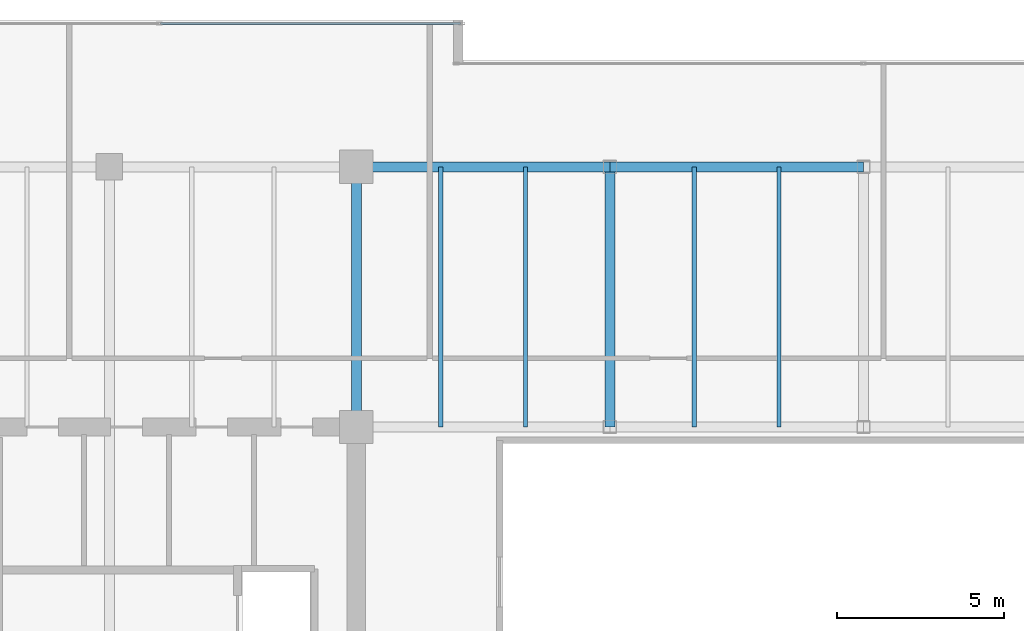
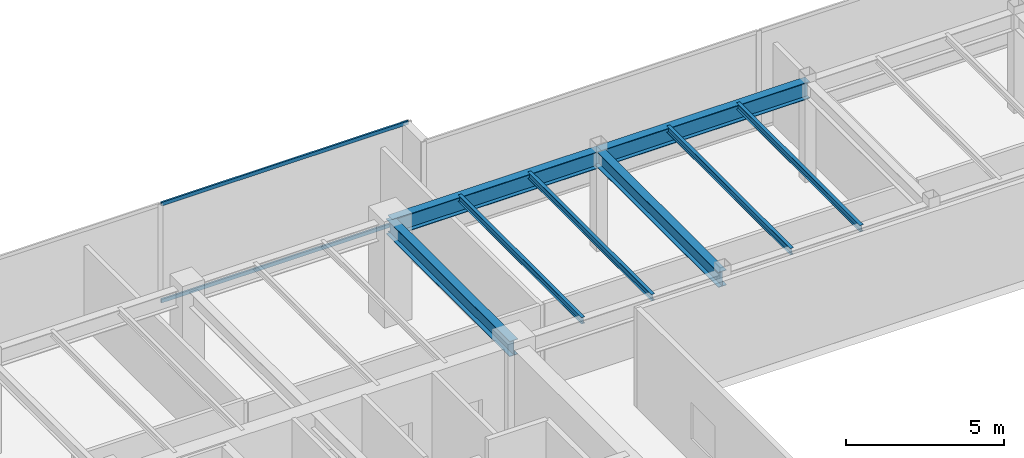
# One storey, part 16 of 33: 8 beams, 2 members, 1 element without a shape of its own.
"""IFC4 building model written with IfcOpenShell, lengths in metres."""

from ifc_helpers import new_model, si_unit, direction, frame, origin, origin_2d, place, context, subcontext, project, spatial, hollow_rectangle, i_section, extrude, source, transform, mapped, material, layer, layer_set, material_profile, profile_set, type_object, type_shapes, element, aggregate, save


model = new_model("IFC4")

# Units and contexts
model_context = context("Model", 3, precision=1e-05, world=origin(), true_north=direction((0.0, 1.0)))
body_context = subcontext(model_context, "Body", "Model", "MODEL_VIEW")
ifc_project = project(units=[si_unit("LENGTHUNIT", "METRE"), si_unit("AREAUNIT", "SQUARE_METRE"), si_unit("VOLUMEUNIT", "CUBIC_METRE"), si_unit("PLANEANGLEUNIT", "RADIAN"), si_unit("MASSUNIT", "GRAM", prefix="KILO")], contexts=[model_context])

# Site, building, storey
site_placement = place(None, origin())
site = spatial("IfcSite", under=ifc_project, at=site_placement, CompositionType="ELEMENT")
building_placement = place(site_placement, origin())
building = spatial("IfcBuilding", under=site, at=building_placement, Name="Haelvirn Gate Laboratories", CompositionType="ELEMENT")
storey_placement = place(building_placement, frame((0.0, 0.0, 275.199951171875)))
storey = spatial("IfcBuildingStorey", under=building, at=storey_placement, Name="L66", CompositionType="ELEMENT", Elevation=275.199951171875)

# Beams
ifc_material_1 = material(Name="Steel SM355", Category="steel")
ifc_material_profile_1 = material_profile(ifc_material_1, i_section(OverallWidth=0.300048828125, OverallDepth=0.587890625, WebThickness=0.011962890625, FlangeThickness=0.02001953125, at=origin_2d()), Name="H-588x300x12x20")
ifc_profile_set_1 = profile_set([ifc_material_profile_1], Name="Steel SM355")
beam_type_1 = type_object("IfcBeamType", Name="BM-G-588", PredefinedType="BEAM", material=ifc_profile_set_1)
shared_shape_1 = source(origin(), body_context, "Body", "SweptSolid", [
    extrude(i_section(OverallWidth=0.300048828125, OverallDepth=0.587890625, WebThickness=0.011962890625, FlangeThickness=0.02001953125, at=origin_2d()), origin(), (0.0, 0.0, 1.0), 7.800048828125),
])
type_shapes(beam_type_1, [shared_shape_1])
for number, where, z_axis, x_axis, name in (
    (1, (22.199951171875, 33.800048828125, 3.506103515625), (0.0, 1.0, 0.0), (-1.0, 0.0, 0.0), "L66 Frame Girder X22.2 (33.8-41.6)"),
    (2, (29.800048828125, 33.800048828125, 3.506103515625), (0.0, 1.0, 0.0), (-1.0, 0.0, 0.0), "L66 Frame Girder X29.8 (33.8-41.6)"),
):
    element("IfcBeam", number, at=place(storey_placement, frame(where, z_axis=z_axis, x_axis=x_axis)), inside=storey, type_object=beam_type_1, Name=name, PredefinedType="BEAM", context=body_context, shape_type="MappedRepresentation", body=[
        mapped(shared_shape_1, transform((0.0, 0.0, 0.0), scale=1.0)),
    ])
ifc_material_profile_2 = material_profile(ifc_material_1, i_section(OverallWidth=0.300048828125, OverallDepth=0.64990234375, WebThickness=0.012939453125, FlangeThickness=0.02197265625, at=origin_2d()), Name="H-650x300x13x22")
ifc_profile_set_2 = profile_set([ifc_material_profile_2], Name="Steel SM355")
beam_type_2 = type_object("IfcBeamType", Name="BM-G-650", PredefinedType="BEAM", material=ifc_profile_set_2)
shared_shape_2 = source(origin(), body_context, "Body", "SweptSolid", [
    extrude(i_section(OverallWidth=0.300048828125, OverallDepth=0.64990234375, WebThickness=0.012939453125, FlangeThickness=0.02197265625, at=origin_2d()), origin(), (0.0, 0.0, 1.0), 7.60009765625),
])
beam_1_placement = place(storey_placement, frame((22.199951171875, 41.60009765625, 3.47509765625), z_axis=(1.0, 0.0, 0.0), x_axis=(0.0, 1.0, 0.0)))
element("IfcBeam", 3, at=beam_1_placement, inside=storey, type_object=beam_type_2, Name="L66 Primary Girder Y41.6 (22.2-29.8)", PredefinedType="BEAM", context=body_context, shape_type="MappedRepresentation", body=[
    mapped(shared_shape_2, transform((0.0, 0.0, 0.0), scale=1.0)),
])
shared_shape_3 = source(origin(), body_context, "Body", "SweptSolid", [
    extrude(i_section(OverallWidth=0.300048828125, OverallDepth=0.64990234375, WebThickness=0.012939453125, FlangeThickness=0.02197265625, at=origin_2d()), origin(), (0.0, 0.0, 1.0), 7.599853515625),
])
type_shapes(beam_type_2, [shared_shape_2, shared_shape_3])
beam_2_placement = place(storey_placement, frame((29.800048828125, 41.60009765625, 3.47509765625), z_axis=(1.0, 0.0, 0.0), x_axis=(0.0, 1.0, 0.0)))
element("IfcBeam", 4, at=beam_2_placement, inside=storey, type_object=beam_type_2, Name="L66 Primary Girder Y41.6 (29.8-37.4)", PredefinedType="BEAM", context=body_context, shape_type="MappedRepresentation", body=[
    mapped(shared_shape_3, transform((0.0, 0.0, 0.0), scale=1.0)),
])
ifc_material_profile_3 = material_profile(ifc_material_1, i_section(OverallWidth=0.125, OverallDepth=0.25, WebThickness=0.006103515625, FlangeThickness=0.009033203125, at=origin_2d()), Name="H-250x125x6x9")
ifc_profile_set_3 = profile_set([ifc_material_profile_3], Name="Steel SM355")
beam_type_3 = type_object("IfcBeamType", Name="BM-J-250", PredefinedType="JOIST", material=ifc_profile_set_3)
shared_shape_4 = source(origin(), body_context, "Body", "SweptSolid", [
    extrude(i_section(OverallWidth=0.125, OverallDepth=0.25, WebThickness=0.006103515625, FlangeThickness=0.009033203125, at=origin_2d()), origin(), (0.0, 0.0, 1.0), 7.800048828125),
])
type_shapes(beam_type_3, [shared_shape_4])
for number, where, z_axis, x_axis, name in (
    (5, (24.72998046875, 33.800048828125, 3.675048828125), (0.0, 1.0, 0.0), (-1.0, 0.0, 0.0), "L66 Composite Lab Joist North X24.73"),
    (6, (27.27001953125, 33.800048828125, 3.675048828125), (0.0, 1.0, 0.0), (-1.0, 0.0, 0.0), "L66 Composite Lab Joist North X27.27"),
    (7, (32.330078125, 33.800048828125, 3.675048828125), (0.0, 1.0, 0.0), (-1.0, 0.0, 0.0), "L66 Composite Lab Joist North X32.33"),
    (8, (34.8701171875, 33.800048828125, 3.675048828125), (0.0, 1.0, 0.0), (-1.0, 0.0, 0.0), "L66 Composite Lab Joist North X34.87"),
):
    element("IfcBeam", number, at=place(storey_placement, frame(where, z_axis=z_axis, x_axis=x_axis)), inside=storey, type_object=beam_type_3, Name=name, PredefinedType="JOIST", context=body_context, shape_type="MappedRepresentation", body=[
        mapped(shared_shape_4, transform((0.0, 0.0, 0.0), scale=1.0)),
    ])

# Curtain wall, members
ifc_material_2 = material(Name="Anodised bronze unitised aluminium & triple low-E glass", Category="aluminium")
ifc_layer = layer(ifc_material_2, 0.176025390625, Name="CW-SYS-4")
ifc_layer_set = layer_set([ifc_layer], Name="Anodised bronze unitised aluminium & triple low-E glass")
curtain_wall_type = type_object("IfcCurtainWallType", Name="CW-SYS-4", PredefinedType="NOTDEFINED", material=ifc_layer_set)
curtain_wall_placement = place(storey_placement, origin())
curtain_wall = element("IfcCurtainWall", 9, at=curtain_wall_placement, inside=storey, type_object=curtain_wall_type, Name="L66 Unitised Curtain Wall CW-L66-P0-E14-1", PredefinedType="NOTDEFINED")
ifc_material_3 = material(Name="Extruded aluminium 6063-T6 (anodised bronze)", Category="aluminium")
ifc_material_profile_4 = material_profile(ifc_material_3, hollow_rectangle(XDim=0.06494140625, YDim=0.139892578125, WallThickness=0.00390625, at=origin_2d()), Name="CWT-140x65x4")
ifc_profile_set_4 = profile_set([ifc_material_profile_4], Name="Extruded aluminium 6063-T6 (anodised bronze)")
member_type = type_object("IfcMemberType", Name="CWT-T140", PredefinedType="USERDEFINED", material=ifc_profile_set_4)
shared_shape_5 = source(origin(), body_context, "Body", "SweptSolid", [
    extrude(hollow_rectangle(XDim=0.06494140625, YDim=0.139892578125, WallThickness=0.00390625, at=origin_2d()), origin(), (0.0, 0.0, 1.0), 8.9951171875),
])
type_shapes(member_type, [shared_shape_5])
member_1_placement = place(storey_placement, frame((16.3349609375, 45.89990234375, 0.032470703125), z_axis=(1.0, 0.0, 0.0), x_axis=(0.0, 1.0, 0.0)))
member_1 = element("IfcMember", 10, at=member_1_placement, type_object=member_type, Name="CW4 transom 2.1", ObjectType="TRANSOM", PredefinedType="USERDEFINED", context=body_context, shape_type="MappedRepresentation", body=[
    mapped(shared_shape_5, transform((0.0, 0.0, 0.0), scale=1.0)),
])
member_2_placement = place(storey_placement, frame((16.3349609375, 45.89990234375, 3.767578125), z_axis=(1.0, 0.0, 0.0), x_axis=(0.0, 1.0, 0.0)))
member_2 = element("IfcMember", 11, at=member_2_placement, type_object=member_type, Name="CW4 transom 2.2", ObjectType="TRANSOM", PredefinedType="USERDEFINED", context=body_context, shape_type="MappedRepresentation", body=[
    mapped(shared_shape_5, transform((0.0, 0.0, 0.0), scale=1.0)),
])
aggregate(curtain_wall, [member_1, member_2])

save(model, "model.ifc")
